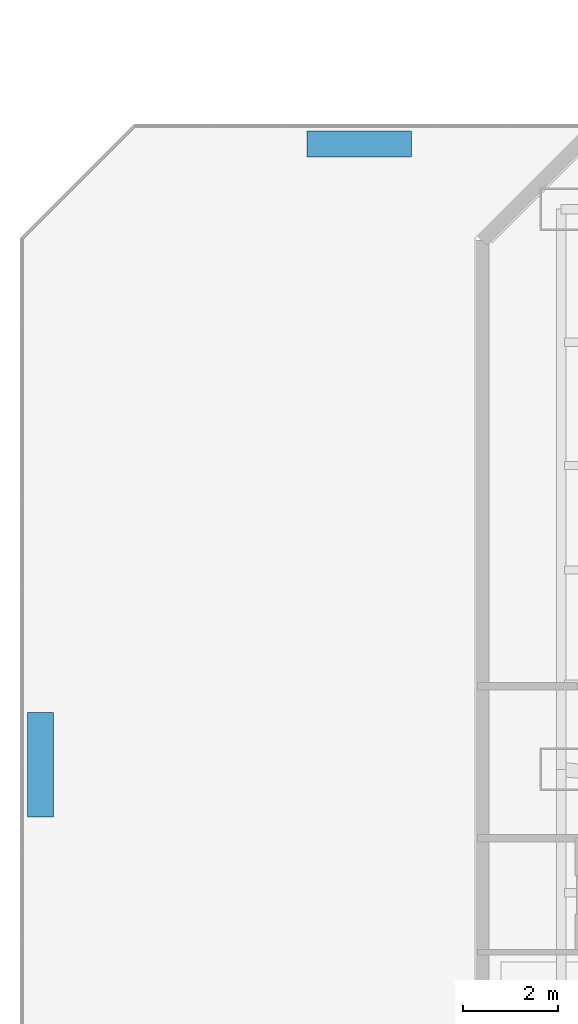
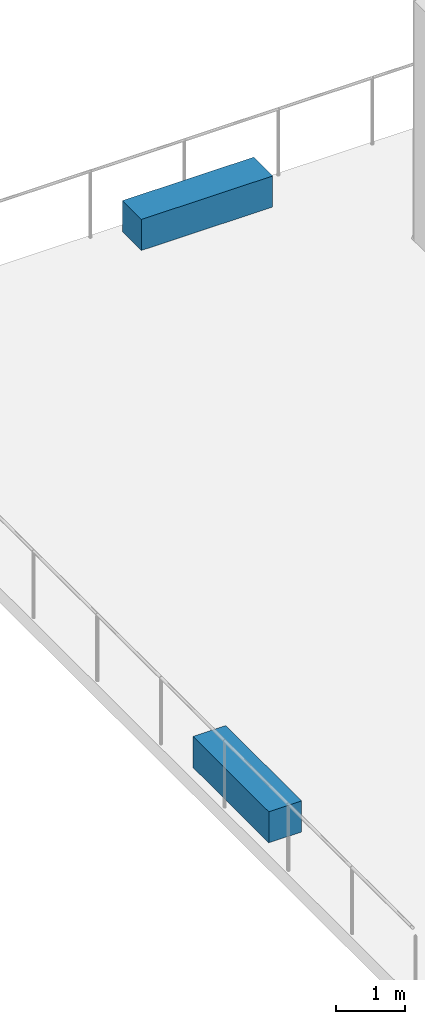
# One storey, part 20 of 27: 2 discrete accessories.
"""IFC4 building model written with IfcOpenShell, lengths in metres."""

from ifc_helpers import new_model, si_unit, direction, frame, origin, origin_2d, place, context, subcontext, project, spatial, rectangle, extrude, material, type_object, element, save


model = new_model("IFC4")

# Units and contexts
model_context = context("Model", 3, precision=1e-05, world=origin(), true_north=direction((0.0, 1.0)))
body_context = subcontext(model_context, "Body", "Model", "MODEL_VIEW")
ifc_project = project(units=[si_unit("LENGTHUNIT", "METRE"), si_unit("AREAUNIT", "SQUARE_METRE"), si_unit("VOLUMEUNIT", "CUBIC_METRE"), si_unit("PLANEANGLEUNIT", "RADIAN"), si_unit("MASSUNIT", "GRAM", prefix="KILO")], contexts=[model_context])

# Site, building, storey
site_placement = place(None, origin())
site = spatial("IfcSite", under=ifc_project, at=site_placement, CompositionType="ELEMENT")
building_placement = place(site_placement, origin())
building = spatial("IfcBuilding", under=site, at=building_placement, Name="Hatsunagi Terrace Concourse", CompositionType="ELEMENT")
storey_placement = place(building_placement, frame((0.0, 0.0, 70.10009765625)))
storey = spatial("IfcBuildingStorey", under=building, at=storey_placement, Name="L18", CompositionType="ELEMENT", Elevation=70.10009765625)

# Discrete accessories
ifc_material = material(Name="Architectural Precast Terracotta Planter", Category="masonry")
discrete_accessory_type = type_object("IfcDiscreteAccessoryType", Name="SkyGardenPlanterEdge_450", PredefinedType="USERDEFINED", material=ifc_material)
for number, where, z_axis, x_axis, name in (
    (1, (0.429931640625, 36.89990234375, 0.0400390625), (0.0, 0.0, 1.0), (0.0, 1.0, 0.0), "Sky Garden Terrace Planter TER-L18-1-2"),
    (2, (7.14208984375, 49.969970703125, 0.0400390625), (0.0, 0.0, 1.0), (1.0, 0.0, 0.0), "Sky Garden Terrace Planter TER-L18-1-4"),
):
    element("IfcDiscreteAccessory", number, at=place(storey_placement, frame(where, z_axis=z_axis, x_axis=x_axis)), inside=storey, type_object=discrete_accessory_type, Name=name, ObjectType="PLANTER", PredefinedType="USERDEFINED", context=body_context, shape_type="SweptSolid", body=[
        extrude(rectangle(XDim=2.199951171875, YDim=0.550048828125, at=origin_2d()), origin(), (0.0, 0.0, 1.0), 0.550048828125),
    ])

save(model, "model.ifc")
